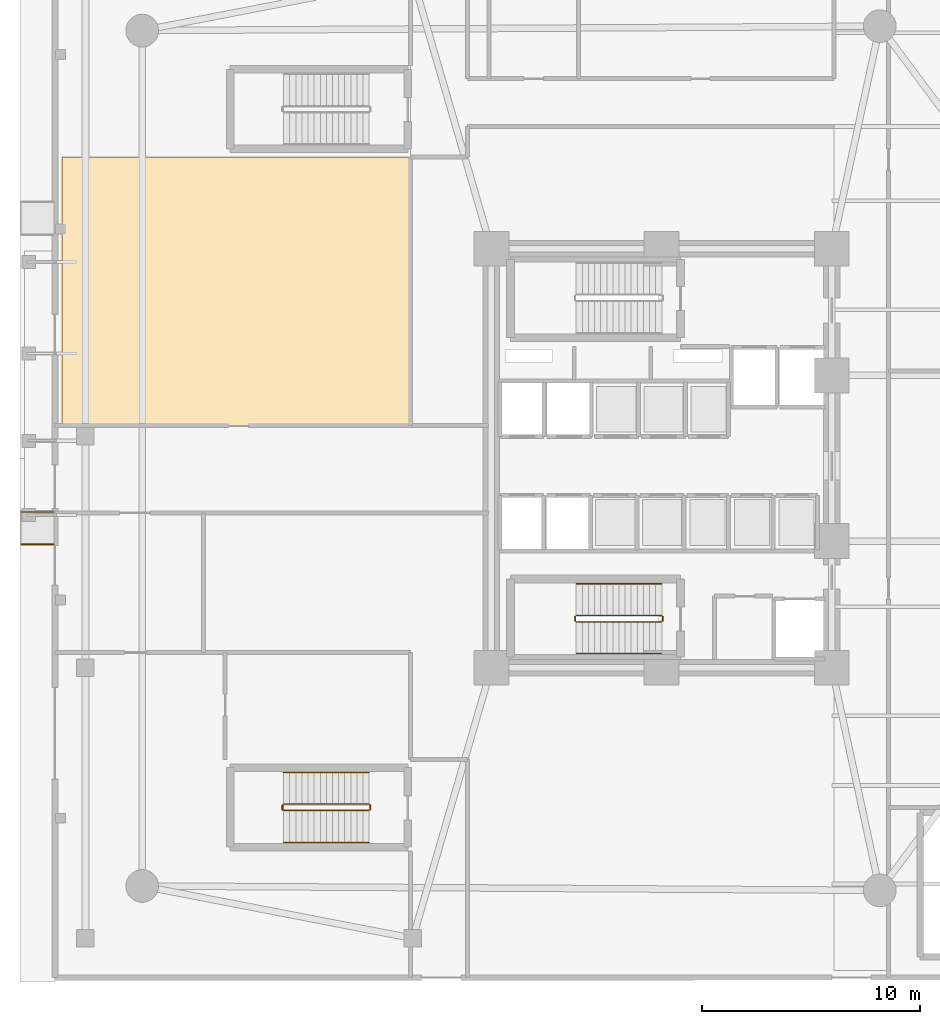
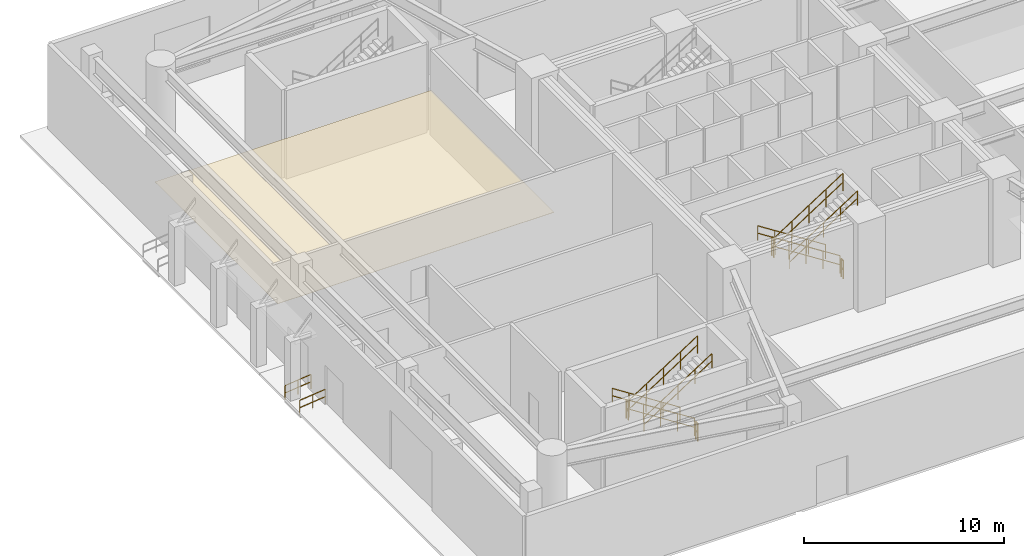
# One storey, part 11 of 16: 14 railings, 1 covering.
"""IFC4 building model written with IfcOpenShell, lengths in metres."""

from ifc_helpers import new_model, si_unit, direction, frame, origin, origin_2d, place, context, subcontext, project, spatial, polyline, circle, outline, extrude, material, layer, layer_set, type_object, element, save


model = new_model("IFC4")

# Units and contexts
model_context = context("Model", 3, precision=1e-05, world=origin(), true_north=direction((0.0, 1.0)))
body_context = subcontext(model_context, "Body", "Model", "MODEL_VIEW")
ifc_project = project(units=[si_unit("LENGTHUNIT", "METRE"), si_unit("AREAUNIT", "SQUARE_METRE"), si_unit("VOLUMEUNIT", "CUBIC_METRE"), si_unit("PLANEANGLEUNIT", "RADIAN"), si_unit("MASSUNIT", "GRAM", prefix="KILO")], contexts=[model_context])

# Site, building, storey
site_placement = place(None, origin())
site = spatial("IfcSite", under=ifc_project, at=site_placement, CompositionType="ELEMENT")
building_placement = place(site_placement, origin())
building = spatial("IfcBuilding", under=site, at=building_placement, Name="An Khanh Terracotta Commons", CompositionType="ELEMENT")
storey_placement = place(building_placement, origin())
storey = spatial("IfcBuildingStorey", under=building, at=storey_placement, Name="L01", CompositionType="ELEMENT", Elevation=0.0)

# Covering
ifc_material_1 = material(Name="Perforated Mineral-Fibre Acoustic Tile")
ifc_layer = layer(ifc_material_1, 0.02001953125, Name="Perforated Mineral-Fibre Acoustic Tile")
ifc_layer_set = layer_set([ifc_layer], Name="Perforated Mineral-Fibre Acoustic Tile")
covering_type = type_object("IfcCoveringType", Name="CEIL-ACOUSTIC-18", PredefinedType="CEILING", material=ifc_layer_set)
covering_placement = place(storey_placement, frame((0.0, 0.0, 2.64990234375)))
element("IfcCovering", 1, at=covering_placement, inside=storey, type_object=covering_type, Name="L01 Main Residential Reception Lobby Ceiling", PredefinedType="CEILING", context=body_context, shape_type="SweptSolid", body=[
    extrude(outline(polyline([(1.919921875, 25.5), (1.919921875, 37.800048828125), (17.89990234375, 37.800048828125), (17.89990234375, 25.5), (1.919921875, 25.5)])), origin(), (0.0, 0.0, 1.0), 0.02001953125),
])

# Railings
ifc_material_2 = material(Name="Brushed Stainless Steel 316", Category="steel")
railing_type_1 = type_object("IfcRailingType", Name="RAIL-HANDRAIL-900", PredefinedType="HANDRAIL", material=ifc_material_2)
railing_1_placement = place(storey_placement, frame((29.409912109375, 18.25, 0.179931640625)))
element("IfcRailing", 2, at=railing_1_placement, inside=storey, type_object=railing_type_1, Name="L01 ST-02 stair handrail 1", PredefinedType="HANDRAIL", context=body_context, shape_type="SweptSolid", body=[
    extrude(circle(Radius=0.02392578125, at=origin_2d()), frame((0.0, 0.0, 0.8759765625), z_axis=(-0.841171666519, 0.0, 0.540768182723), x_axis=(0.0, -1.0, 0.0)), (0.0, 0.0, 1.0), 4.66015625),
    extrude(circle(Radius=0.02392578125, at=origin_2d()), frame((0.0, 0.0, 0.42578125), z_axis=(-0.841171666519, 0.0, 0.540768182723), x_axis=(0.0, -1.0, 0.0)), (0.0, 0.0, 1.0), 4.66015625),
    extrude(circle(Radius=0.02099609375, at=origin_2d()), origin(), (0.0, 0.0, 1.0), 0.851806640625),
    extrude(circle(Radius=0.02099609375, at=origin_2d()), frame((-0.97998046875, 0.0, 0.6298828125)), (0.0, 0.0, 1.0), 0.851806640625),
    extrude(circle(Radius=0.02099609375, at=origin_2d()), frame((-1.9599609375, 0.0, 1.260009765625)), (0.0, 0.0, 1.0), 0.851806640625),
    extrude(circle(Radius=0.02099609375, at=origin_2d()), frame((-2.93994140625, 0.0, 1.89013671875)), (0.0, 0.0, 1.0), 0.851806640625),
    extrude(circle(Radius=0.02099609375, at=origin_2d()), frame((-3.919921875, 0.0, 2.52001953125)), (0.0, 0.0, 1.0), 0.851806640625),
])
railing_2_placement = place(storey_placement, frame((25.489990234375, 15.050048828125, 2.8798828125)))
element("IfcRailing", 3, at=railing_2_placement, inside=storey, type_object=railing_type_1, Name="L01 ST-02 stair handrail 2", PredefinedType="HANDRAIL", context=body_context, shape_type="SweptSolid", body=[
    extrude(circle(Radius=0.02392578125, at=origin_2d()), frame((0.0, 0.0, 0.8759765625), z_axis=(0.841171666519, 0.0, 0.540768182723), x_axis=(0.0, 1.0, 0.0)), (0.0, 0.0, 1.0), 4.66015625),
    extrude(circle(Radius=0.02392578125, at=origin_2d()), frame((0.0, 0.0, 0.42578125), z_axis=(0.841171666519, 0.0, 0.540768182723), x_axis=(0.0, 1.0, 0.0)), (0.0, 0.0, 1.0), 4.66015625),
    extrude(circle(Radius=0.02099609375, at=origin_2d()), origin(), (0.0, 0.0, 1.0), 0.851806640625),
    extrude(circle(Radius=0.02099609375, at=origin_2d()), frame((0.97998046875, 0.0, 0.6298828125)), (0.0, 0.0, 1.0), 0.851806640625),
    extrude(circle(Radius=0.02099609375, at=origin_2d()), frame((1.9599609375, 0.0, 1.260009765625)), (0.0, 0.0, 1.0), 0.851806640625),
    extrude(circle(Radius=0.02099609375, at=origin_2d()), frame((2.93994140625, 0.0, 1.89013671875)), (0.0, 0.0, 1.0), 0.851806640625),
    extrude(circle(Radius=0.02099609375, at=origin_2d()), frame((3.919921875, 0.0, 2.52001953125)), (0.0, 0.0, 1.0), 0.851806640625),
])
railing_3_placement = place(storey_placement, frame((16.0, 9.60009765625, 0.179931640625)))
element("IfcRailing", 4, at=railing_3_placement, inside=storey, type_object=railing_type_1, Name="L01 ST-P1 stair handrail 1", PredefinedType="HANDRAIL", context=body_context, shape_type="SweptSolid", body=[
    extrude(circle(Radius=0.02392578125, at=origin_2d()), frame((0.0, 0.0, 0.8759765625), z_axis=(-0.841171666519, 0.0, 0.540768182723), x_axis=(0.0, -1.0, 0.0)), (0.0, 0.0, 1.0), 4.66015625),
    extrude(circle(Radius=0.02392578125, at=origin_2d()), frame((0.0, 0.0, 0.42578125), z_axis=(-0.841171666519, 0.0, 0.540768182723), x_axis=(0.0, -1.0, 0.0)), (0.0, 0.0, 1.0), 4.66015625),
    extrude(circle(Radius=0.02099609375, at=origin_2d()), origin(), (0.0, 0.0, 1.0), 0.851806640625),
    extrude(circle(Radius=0.02099609375, at=origin_2d()), frame((-0.97998046875, 0.0, 0.6298828125)), (0.0, 0.0, 1.0), 0.851806640625),
    extrude(circle(Radius=0.02099609375, at=origin_2d()), frame((-1.9599609375, 0.0, 1.260009765625)), (0.0, 0.0, 1.0), 0.851806640625),
    extrude(circle(Radius=0.02099609375, at=origin_2d()), frame((-2.93994140625, 0.0, 1.89013671875)), (0.0, 0.0, 1.0), 0.851806640625),
    extrude(circle(Radius=0.02099609375, at=origin_2d()), frame((-3.919921875, 0.0, 2.52001953125)), (0.0, 0.0, 1.0), 0.851806640625),
])
railing_4_placement = place(storey_placement, frame((12.080078125, 6.39990234375, 2.8798828125)))
element("IfcRailing", 5, at=railing_4_placement, inside=storey, type_object=railing_type_1, Name="L01 ST-P1 stair handrail 2", PredefinedType="HANDRAIL", context=body_context, shape_type="SweptSolid", body=[
    extrude(circle(Radius=0.02392578125, at=origin_2d()), frame((0.0, 0.0, 0.8759765625), z_axis=(0.841171666519, 0.0, 0.540768182723), x_axis=(0.0, 1.0, 0.0)), (0.0, 0.0, 1.0), 4.66015625),
    extrude(circle(Radius=0.02392578125, at=origin_2d()), frame((0.0, 0.0, 0.42578125), z_axis=(0.841171666519, 0.0, 0.540768182723), x_axis=(0.0, 1.0, 0.0)), (0.0, 0.0, 1.0), 4.66015625),
    extrude(circle(Radius=0.02099609375, at=origin_2d()), origin(), (0.0, 0.0, 1.0), 0.851806640625),
    extrude(circle(Radius=0.02099609375, at=origin_2d()), frame((0.97998046875, 0.0, 0.6298828125)), (0.0, 0.0, 1.0), 0.851806640625),
    extrude(circle(Radius=0.02099609375, at=origin_2d()), frame((1.9599609375, 0.0, 1.260009765625)), (0.0, 0.0, 1.0), 0.851806640625),
    extrude(circle(Radius=0.02099609375, at=origin_2d()), frame((2.93994140625, 0.0, 1.89013671875)), (0.0, 0.0, 1.0), 0.851806640625),
    extrude(circle(Radius=0.02099609375, at=origin_2d()), frame((3.919921875, 0.0, 2.52001953125)), (0.0, 0.0, 1.0), 0.851806640625),
])
for number, where, name in (
    (6, (0.050048828125, 20.06005859375, -0.159912109375), "West Main Entrance Step-Free Ramp South Handrail 1"),
    (7, (0.050048828125, 21.5400390625, -0.159912109375), "West Main Entrance Step-Free Ramp South Handrail 2"),
):
    element("IfcRailing", number, at=place(storey_placement, frame(where)), inside=storey, type_object=railing_type_1, Name=name, PredefinedType="HANDRAIL", context=body_context, shape_type="SweptSolid", body=[
        extrude(circle(Radius=0.02392578125, at=origin_2d()), frame((0.0, 0.0, 0.8759765625), z_axis=(0.994365343752, 0.0, 0.106007373072), x_axis=(0.0, 1.0, 0.0)), (0.0, 0.0, 1.0), 1.508544921875),
        extrude(circle(Radius=0.02392578125, at=origin_2d()), frame((0.0, 0.0, 0.42578125), z_axis=(0.994365343752, 0.0, 0.106007373072), x_axis=(0.0, 1.0, 0.0)), (0.0, 0.0, 1.0), 1.508544921875),
        extrude(circle(Radius=0.02099609375, at=origin_2d()), origin(), (0.0, 0.0, 1.0), 0.851806640625),
        extrude(circle(Radius=0.02099609375, at=origin_2d()), frame((0.75, 0.0, 0.080078125)), (0.0, 0.0, 1.0), 0.851806640625),
        extrude(circle(Radius=0.02099609375, at=origin_2d()), frame((1.5, 0.0, 0.159912109375)), (0.0, 0.0, 1.0), 0.851806640625),
    ])
ifc_material_3 = material(Name="Powder-Coated Steel S355J2", Category="steel")
railing_type_2 = type_object("IfcRailingType", Name="RAIL-STAIR-GUARD-1100", PredefinedType="BALUSTRADE", material=ifc_material_3)
railing_5_placement = place(storey_placement, frame((29.409912109375, 16.800048828125, 0.179931640625)))
element("IfcRailing", 8, at=railing_5_placement, inside=storey, type_object=railing_type_2, Name="L01 ST-02 stair guard 1", PredefinedType="BALUSTRADE", context=body_context, shape_type="SweptSolid", body=[
    extrude(circle(Radius=0.02392578125, at=origin_2d()), frame((0.0, 0.0, 1.076171875), z_axis=(-0.841171666519, 0.0, 0.540768182723), x_axis=(0.0, -1.0, 0.0)), (0.0, 0.0, 1.0), 4.66015625),
    extrude(circle(Radius=0.02392578125, at=origin_2d()), frame((0.0, 0.0, 0.52587890625), z_axis=(-0.841171666519, 0.0, 0.540768182723), x_axis=(0.0, -1.0, 0.0)), (0.0, 0.0, 1.0), 4.66015625),
    extrude(circle(Radius=0.02099609375, at=origin_2d()), origin(), (0.0, 0.0, 1.0), 1.052001953125),
    extrude(circle(Radius=0.02099609375, at=origin_2d()), frame((-0.97998046875, 0.0, 0.6298828125)), (0.0, 0.0, 1.0), 1.052001953125),
    extrude(circle(Radius=0.02099609375, at=origin_2d()), frame((-1.9599609375, 0.0, 1.260009765625)), (0.0, 0.0, 1.0), 1.052001953125),
    extrude(circle(Radius=0.02099609375, at=origin_2d()), frame((-2.93994140625, 0.0, 1.89013671875)), (0.0, 0.0, 1.0), 1.052001953125),
    extrude(circle(Radius=0.02099609375, at=origin_2d()), frame((-3.919921875, 0.0, 2.52001953125)), (0.0, 0.0, 1.0), 1.052001953125),
])
railing_6_placement = place(storey_placement, frame((25.43994140625, 16.75, 2.699951171875)))
element("IfcRailing", 9, at=railing_6_placement, inside=storey, type_object=railing_type_2, Name="L01 ST-02 stair guard 2", PredefinedType="BALUSTRADE", context=body_context, shape_type="SweptSolid", body=[
    extrude(circle(Radius=0.02392578125, at=origin_2d()), frame((0.0, 0.0, 1.076171875), z_axis=(0.0, -1.0, 0.0), x_axis=(1.0, 0.0, 0.0)), (0.0, 0.0, 1.0), 0.199951171875),
    extrude(circle(Radius=0.02392578125, at=origin_2d()), frame((0.0, 0.0, 0.52587890625), z_axis=(0.0, -1.0, 0.0), x_axis=(1.0, 0.0, 0.0)), (0.0, 0.0, 1.0), 0.199951171875),
    extrude(circle(Radius=0.02099609375, at=origin_2d()), origin(), (0.0, 0.0, 1.0), 1.052001953125),
    extrude(circle(Radius=0.02099609375, at=origin_2d()), frame((0.0, -0.199951171875, 0.0)), (0.0, 0.0, 1.0), 1.052001953125),
])
railing_7_placement = place(storey_placement, frame((25.489990234375, 16.5, 2.8798828125)))
element("IfcRailing", 10, at=railing_7_placement, inside=storey, type_object=railing_type_2, Name="L01 ST-02 stair guard 3", PredefinedType="BALUSTRADE", context=body_context, shape_type="SweptSolid", body=[
    extrude(circle(Radius=0.02392578125, at=origin_2d()), frame((0.0, 0.0, 1.076171875), z_axis=(0.841171666519, 0.0, 0.540768182723), x_axis=(0.0, 1.0, 0.0)), (0.0, 0.0, 1.0), 4.66015625),
    extrude(circle(Radius=0.02392578125, at=origin_2d()), frame((0.0, 0.0, 0.52587890625), z_axis=(0.841171666519, 0.0, 0.540768182723), x_axis=(0.0, 1.0, 0.0)), (0.0, 0.0, 1.0), 4.66015625),
    extrude(circle(Radius=0.02099609375, at=origin_2d()), origin(), (0.0, 0.0, 1.0), 1.052001953125),
    extrude(circle(Radius=0.02099609375, at=origin_2d()), frame((0.97998046875, 0.0, 0.6298828125)), (0.0, 0.0, 1.0), 1.052001953125),
    extrude(circle(Radius=0.02099609375, at=origin_2d()), frame((1.9599609375, 0.0, 1.260009765625)), (0.0, 0.0, 1.0), 1.052001953125),
    extrude(circle(Radius=0.02099609375, at=origin_2d()), frame((2.93994140625, 0.0, 1.89013671875)), (0.0, 0.0, 1.0), 1.052001953125),
    extrude(circle(Radius=0.02099609375, at=origin_2d()), frame((3.919921875, 0.0, 2.52001953125)), (0.0, 0.0, 1.0), 1.052001953125),
])
railing_8_placement = place(storey_placement, frame((29.4599609375, 16.75, 0.0)))
element("IfcRailing", 11, at=railing_8_placement, inside=storey, type_object=railing_type_2, Name="L01 ST-02 stair guard 4", PredefinedType="BALUSTRADE", context=body_context, shape_type="SweptSolid", body=[
    extrude(circle(Radius=0.02392578125, at=origin_2d()), frame((0.0, 0.0, 1.076171875), z_axis=(0.0, -1.0, 0.0), x_axis=(1.0, 0.0, 0.0)), (0.0, 0.0, 1.0), 0.199951171875),
    extrude(circle(Radius=0.02392578125, at=origin_2d()), frame((0.0, 0.0, 0.52587890625), z_axis=(0.0, -1.0, 0.0), x_axis=(1.0, 0.0, 0.0)), (0.0, 0.0, 1.0), 0.199951171875),
    extrude(circle(Radius=0.02099609375, at=origin_2d()), origin(), (0.0, 0.0, 1.0), 1.052001953125),
    extrude(circle(Radius=0.02099609375, at=origin_2d()), frame((0.0, -0.199951171875, 0.0)), (0.0, 0.0, 1.0), 1.052001953125),
])
railing_9_placement = place(storey_placement, frame((16.0, 8.14990234375, 0.179931640625)))
element("IfcRailing", 12, at=railing_9_placement, inside=storey, type_object=railing_type_2, Name="L01 ST-P1 stair guard 1", PredefinedType="BALUSTRADE", context=body_context, shape_type="SweptSolid", body=[
    extrude(circle(Radius=0.02392578125, at=origin_2d()), frame((0.0, 0.0, 1.076171875), z_axis=(-0.841171666519, 0.0, 0.540768182723), x_axis=(0.0, -1.0, 0.0)), (0.0, 0.0, 1.0), 4.66015625),
    extrude(circle(Radius=0.02392578125, at=origin_2d()), frame((0.0, 0.0, 0.52587890625), z_axis=(-0.841171666519, 0.0, 0.540768182723), x_axis=(0.0, -1.0, 0.0)), (0.0, 0.0, 1.0), 4.66015625),
    extrude(circle(Radius=0.02099609375, at=origin_2d()), origin(), (0.0, 0.0, 1.0), 1.052001953125),
    extrude(circle(Radius=0.02099609375, at=origin_2d()), frame((-0.97998046875, 0.0, 0.6298828125)), (0.0, 0.0, 1.0), 1.052001953125),
    extrude(circle(Radius=0.02099609375, at=origin_2d()), frame((-1.9599609375, 0.0, 1.260009765625)), (0.0, 0.0, 1.0), 1.052001953125),
    extrude(circle(Radius=0.02099609375, at=origin_2d()), frame((-2.93994140625, 0.0, 1.89013671875)), (0.0, 0.0, 1.0), 1.052001953125),
    extrude(circle(Radius=0.02099609375, at=origin_2d()), frame((-3.919921875, 0.0, 2.52001953125)), (0.0, 0.0, 1.0), 1.052001953125),
])
railing_10_placement = place(storey_placement, frame((12.030029296875, 8.10009765625, 2.699951171875)))
element("IfcRailing", 13, at=railing_10_placement, inside=storey, type_object=railing_type_2, Name="L01 ST-P1 stair guard 2", PredefinedType="BALUSTRADE", context=body_context, shape_type="SweptSolid", body=[
    extrude(circle(Radius=0.02392578125, at=origin_2d()), frame((0.0, 0.0, 1.076171875), z_axis=(0.0, -1.0, 0.0), x_axis=(1.0, 0.0, 0.0)), (0.0, 0.0, 1.0), 0.2001953125),
    extrude(circle(Radius=0.02392578125, at=origin_2d()), frame((0.0, 0.0, 0.52587890625), z_axis=(0.0, -1.0, 0.0), x_axis=(1.0, 0.0, 0.0)), (0.0, 0.0, 1.0), 0.2001953125),
    extrude(circle(Radius=0.02099609375, at=origin_2d()), origin(), (0.0, 0.0, 1.0), 1.052001953125),
    extrude(circle(Radius=0.02099609375, at=origin_2d()), frame((0.0, -0.2001953125, 0.0)), (0.0, 0.0, 1.0), 1.052001953125),
])
railing_11_placement = place(storey_placement, frame((12.080078125, 7.85009765625, 2.8798828125)))
element("IfcRailing", 14, at=railing_11_placement, inside=storey, type_object=railing_type_2, Name="L01 ST-P1 stair guard 3", PredefinedType="BALUSTRADE", context=body_context, shape_type="SweptSolid", body=[
    extrude(circle(Radius=0.02392578125, at=origin_2d()), frame((0.0, 0.0, 1.076171875), z_axis=(0.841171666519, 0.0, 0.540768182723), x_axis=(0.0, 1.0, 0.0)), (0.0, 0.0, 1.0), 4.66015625),
    extrude(circle(Radius=0.02392578125, at=origin_2d()), frame((0.0, 0.0, 0.52587890625), z_axis=(0.841171666519, 0.0, 0.540768182723), x_axis=(0.0, 1.0, 0.0)), (0.0, 0.0, 1.0), 4.66015625),
    extrude(circle(Radius=0.02099609375, at=origin_2d()), origin(), (0.0, 0.0, 1.0), 1.052001953125),
    extrude(circle(Radius=0.02099609375, at=origin_2d()), frame((0.97998046875, 0.0, 0.6298828125)), (0.0, 0.0, 1.0), 1.052001953125),
    extrude(circle(Radius=0.02099609375, at=origin_2d()), frame((1.9599609375, 0.0, 1.260009765625)), (0.0, 0.0, 1.0), 1.052001953125),
    extrude(circle(Radius=0.02099609375, at=origin_2d()), frame((2.93994140625, 0.0, 1.89013671875)), (0.0, 0.0, 1.0), 1.052001953125),
    extrude(circle(Radius=0.02099609375, at=origin_2d()), frame((3.919921875, 0.0, 2.52001953125)), (0.0, 0.0, 1.0), 1.052001953125),
])
railing_12_placement = place(storey_placement, frame((16.050048828125, 8.10009765625, 0.0)))
element("IfcRailing", 15, at=railing_12_placement, inside=storey, type_object=railing_type_2, Name="L01 ST-P1 stair guard 4", PredefinedType="BALUSTRADE", context=body_context, shape_type="SweptSolid", body=[
    extrude(circle(Radius=0.02392578125, at=origin_2d()), frame((0.0, 0.0, 1.076171875), z_axis=(0.0, -1.0, 0.0), x_axis=(1.0, 0.0, 0.0)), (0.0, 0.0, 1.0), 0.2001953125),
    extrude(circle(Radius=0.02392578125, at=origin_2d()), frame((0.0, 0.0, 0.52587890625), z_axis=(0.0, -1.0, 0.0), x_axis=(1.0, 0.0, 0.0)), (0.0, 0.0, 1.0), 0.2001953125),
    extrude(circle(Radius=0.02099609375, at=origin_2d()), origin(), (0.0, 0.0, 1.0), 1.052001953125),
    extrude(circle(Radius=0.02099609375, at=origin_2d()), frame((0.0, -0.2001953125, 0.0)), (0.0, 0.0, 1.0), 1.052001953125),
])

save(model, "model.ifc")
